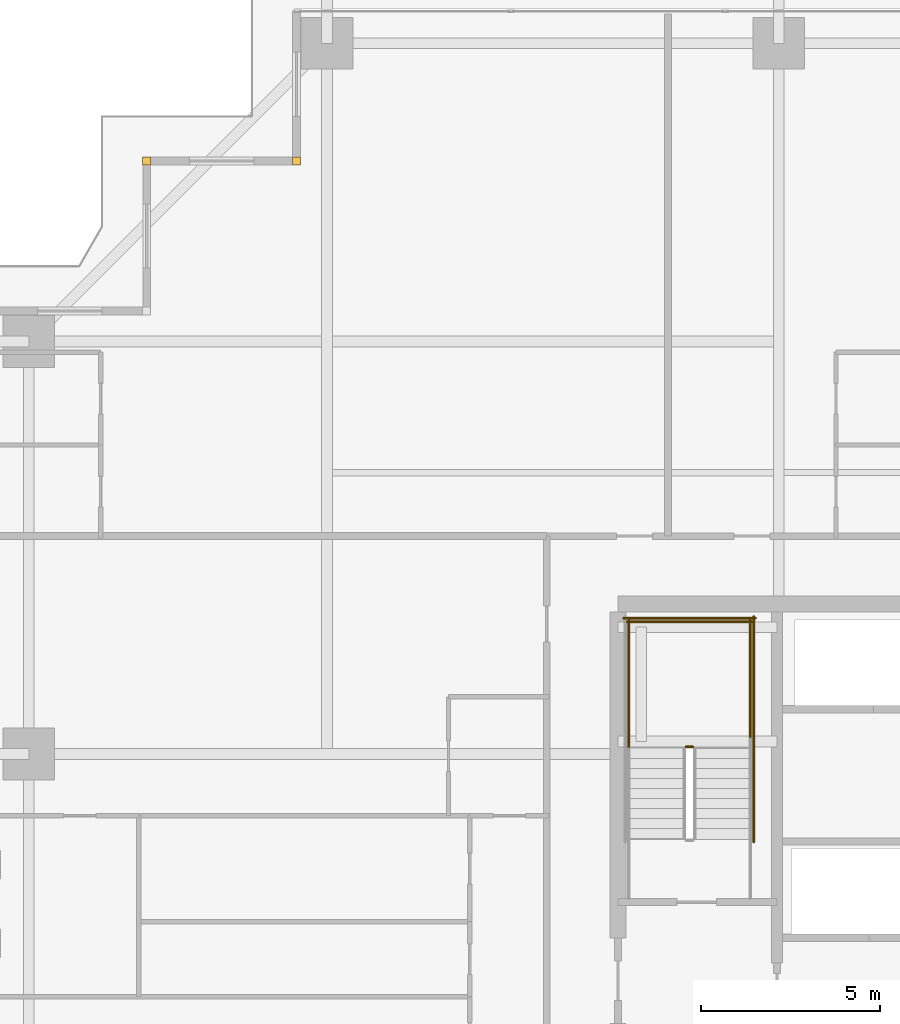
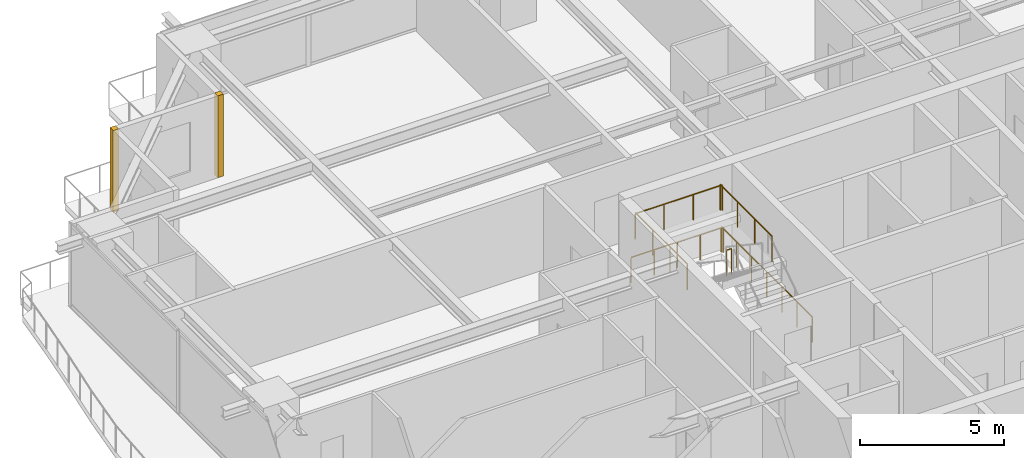
# One storey, part 39 of 40: 6 railings, 2 coverings.
"""IFC4 building model written with IfcOpenShell, lengths in metres."""

from ifc_helpers import new_model, si_unit, direction, frame, origin, origin_2d, place, context, subcontext, project, spatial, rectangle, circle, extrude, source, transform, mapped, material, layer, layer_set, type_object, element, save


model = new_model("IFC4")

# Units and contexts
model_context = context("Model", 3, precision=1e-05, world=origin(), true_north=direction((0.0, 1.0)))
body_context = subcontext(model_context, "Body", "Model", "MODEL_VIEW")
ifc_project = project(units=[si_unit("LENGTHUNIT", "METRE"), si_unit("AREAUNIT", "SQUARE_METRE"), si_unit("VOLUMEUNIT", "CUBIC_METRE"), si_unit("PLANEANGLEUNIT", "RADIAN"), si_unit("MASSUNIT", "GRAM", prefix="KILO")], contexts=[model_context])

# Site, building, storey
site_placement = place(None, origin())
site = spatial("IfcSite", under=ifc_project, at=site_placement, CompositionType="ELEMENT")
building_placement = place(site_placement, origin())
building = spatial("IfcBuilding", under=site, at=building_placement, Name="Serunith Strait Residences", CompositionType="ELEMENT")
storey_placement = place(building_placement, frame((0.0, 0.0, 90.449951171875)))
storey = spatial("IfcBuildingStorey", under=building, at=storey_placement, Name="L22", CompositionType="ELEMENT", Elevation=90.449951171875)

# Railings
ifc_material_1 = material(Name="Brushed stainless steel 316L", Category="steel")
railing_type = type_object("IfcRailingType", Name="RLG-STAIR-GUARD", PredefinedType="BALUSTRADE", material=ifc_material_1)
railing_1_placement = place(storey_placement, frame((25.5, 29.60009765625, 1.875)))
element("IfcRailing", 1, at=railing_1_placement, inside=storey, type_object=railing_type, Name="L22 ST-1 stair guard 2", PredefinedType="BALUSTRADE", context=body_context, shape_type="SweptSolid", body=[
    extrude(circle(Radius=0.02392578125, at=origin_2d()), frame((-0.001953125, 0.0, 1.076171875), z_axis=(-1.0, 0.0, 0.0), x_axis=(0.0, -1.0, 0.0)), (0.0, 0.0, 1.0), 0.196044921875),
    extrude(circle(Radius=0.02099609375, at=origin_2d()), origin(), (0.0, 0.0, 1.0), 1.050048828125),
    extrude(circle(Radius=0.02099609375, at=origin_2d()), frame((-0.199951171875, 0.0, 0.0)), (0.0, 0.0, 1.0), 1.050048828125),
])
for number, where, name in (
    (2, (27.10009765625, 29.550048828125, 1.875), "L22 ST-1 stair guard 3"),
    (3, (23.699951171875, 29.550048828125, 1.875), "L22 ST-1 stair guard 4"),
):
    element("IfcRailing", number, at=place(storey_placement, frame(where)), inside=storey, type_object=railing_type, Name=name, PredefinedType="BALUSTRADE", context=body_context, shape_type="SweptSolid", body=[
        extrude(circle(Radius=0.02392578125, at=origin_2d()), frame((0.0, 0.001953125, 1.076171875), z_axis=(0.0, 1.0, 0.0), x_axis=(-1.0, 0.0, 0.0)), (0.0, 0.0, 1.0), 3.595947265625),
        extrude(circle(Radius=0.02099609375, at=origin_2d()), origin(), (0.0, 0.0, 1.0), 1.050048828125),
        extrude(circle(Radius=0.02099609375, at=origin_2d()), frame((0.0, 1.199951171875, 0.0)), (0.0, 0.0, 1.0), 1.050048828125),
        extrude(circle(Radius=0.02099609375, at=origin_2d()), frame((0.0, 2.39990234375, 0.0)), (0.0, 0.0, 1.0), 1.050048828125),
        extrude(circle(Radius=0.02099609375, at=origin_2d()), frame((0.0, 3.599853515625, 0.0)), (0.0, 0.0, 1.0), 1.050048828125),
    ])
railing_2_placement = place(storey_placement, frame((27.14990234375, 33.10009765625, 1.875)))
element("IfcRailing", 4, at=railing_2_placement, inside=storey, type_object=railing_type, Name="L22 ST-1 stair guard 5", PredefinedType="BALUSTRADE", context=body_context, shape_type="SweptSolid", body=[
    extrude(circle(Radius=0.02392578125, at=origin_2d()), frame((-0.001953125, 0.0, 1.076171875), z_axis=(-1.0, 0.0, 0.0), x_axis=(0.0, -1.0, 0.0)), (0.0, 0.0, 1.0), 3.49609375),
    extrude(circle(Radius=0.02099609375, at=origin_2d()), origin(), (0.0, 0.0, 1.0), 1.050048828125),
    extrude(circle(Radius=0.02099609375, at=origin_2d()), frame((-1.166748046875, 0.0, 0.0)), (0.0, 0.0, 1.0), 1.050048828125),
    extrude(circle(Radius=0.02099609375, at=origin_2d()), frame((-2.333251953125, 0.0, 0.0)), (0.0, 0.0, 1.0), 1.050048828125),
    extrude(circle(Radius=0.02099609375, at=origin_2d()), frame((-3.5, 0.0, 0.0)), (0.0, 0.0, 1.0), 1.050048828125),
])
railing_3_placement = place(storey_placement, frame((27.199951171875, 26.929931640625, 0.0)))
element("IfcRailing", 5, at=railing_3_placement, inside=storey, type_object=railing_type, Name="L22 ST-1 stair guard 10", PredefinedType="BALUSTRADE", context=body_context, shape_type="SweptSolid", body=[
    extrude(circle(Radius=0.02392578125, at=origin_2d()), frame((0.0, 0.001953125, 1.076171875), z_axis=(0.0, 1.0, 0.0), x_axis=(-1.0, 0.0, 0.0)), (0.0, 0.0, 1.0), 6.316162109375),
    extrude(circle(Radius=0.02099609375, at=origin_2d()), origin(), (0.0, 0.0, 1.0), 1.050048828125),
    extrude(circle(Radius=0.02099609375, at=origin_2d()), frame((0.0, 1.05322265625, 0.0)), (0.0, 0.0, 1.0), 1.050048828125),
    extrude(circle(Radius=0.02099609375, at=origin_2d()), frame((0.0, 2.106689453125, 0.0)), (0.0, 0.0, 1.0), 1.050048828125),
    extrude(circle(Radius=0.02099609375, at=origin_2d()), frame((0.0, 3.16015625, 0.0)), (0.0, 0.0, 1.0), 1.050048828125),
    extrude(circle(Radius=0.02099609375, at=origin_2d()), frame((0.0, 4.21337890625, 0.0)), (0.0, 0.0, 1.0), 1.050048828125),
    extrude(circle(Radius=0.02099609375, at=origin_2d()), frame((0.0, 5.2666015625, 0.0)), (0.0, 0.0, 1.0), 1.050048828125),
    extrude(circle(Radius=0.02099609375, at=origin_2d()), frame((0.0, 6.320068359375, 0.0)), (0.0, 0.0, 1.0), 1.050048828125),
])
railing_4_placement = place(storey_placement, frame((27.25, 33.199951171875, 0.0)))
element("IfcRailing", 6, at=railing_4_placement, inside=storey, type_object=railing_type, Name="L22 ST-1 stair guard 12", PredefinedType="BALUSTRADE", context=body_context, shape_type="SweptSolid", body=[
    extrude(circle(Radius=0.02392578125, at=origin_2d()), frame((-0.001953125, 0.0, 1.076171875), z_axis=(-1.0, 0.0, 0.0), x_axis=(0.0, -1.0, 0.0)), (0.0, 0.0, 1.0), 3.696044921875),
    extrude(circle(Radius=0.02099609375, at=origin_2d()), origin(), (0.0, 0.0, 1.0), 1.050048828125),
    extrude(circle(Radius=0.02099609375, at=origin_2d()), frame((-0.925048828125, 0.0, 0.0)), (0.0, 0.0, 1.0), 1.050048828125),
    extrude(circle(Radius=0.02099609375, at=origin_2d()), frame((-1.85009765625, 0.0, 0.0)), (0.0, 0.0, 1.0), 1.050048828125),
    extrude(circle(Radius=0.02099609375, at=origin_2d()), frame((-2.77490234375, 0.0, 0.0)), (0.0, 0.0, 1.0), 1.050048828125),
    extrude(circle(Radius=0.02099609375, at=origin_2d()), frame((-3.699951171875, 0.0, 0.0)), (0.0, 0.0, 1.0), 1.050048828125),
])

# Coverings
ifc_material_2 = material(Name="Pale-Champagne Anodised Aluminium", Category="aluminium")
ifc_layer = layer(ifc_material_2, 0.219970703125, Name="Pale-Champagne Anodised Aluminium")
ifc_layer_set = layer_set([ifc_layer], Name="Pale-Champagne Anodised Aluminium")
covering_type = type_object("IfcCoveringType", Name="COV-CORN-TRIM", PredefinedType="CLADDING", material=ifc_layer_set)
shared_shape = source(origin(), body_context, "Body", "SweptSolid", [
    extrude(rectangle(XDim=0.221923828125, YDim=0.221923828125, at=origin_2d()), origin(), (0.0, 0.0, 1.0), 3.47509765625),
])
for number, where, z_axis, x_axis, name in (
    (7, (14.39990234375, 46.0, 0.0), (0.0, 0.0, 1.0), (1.0, 0.0, 0.0), "L22 Girih Serrated Corner Trim Post 12"),
    (8, (10.199951171875, 46.0, 0.0), (0.0, 0.0, 1.0), (1.0, 0.0, 0.0), "L22 Girih Serrated Corner Trim Post 13"),
):
    element("IfcCovering", number, at=place(storey_placement, frame(where, z_axis=z_axis, x_axis=x_axis)), inside=storey, type_object=covering_type, Name=name, PredefinedType="CLADDING", context=body_context, shape_type="MappedRepresentation", body=[
        mapped(shared_shape, transform((0.0, 0.0, 0.0), scale=1.0)),
    ])

save(model, "model.ifc")
